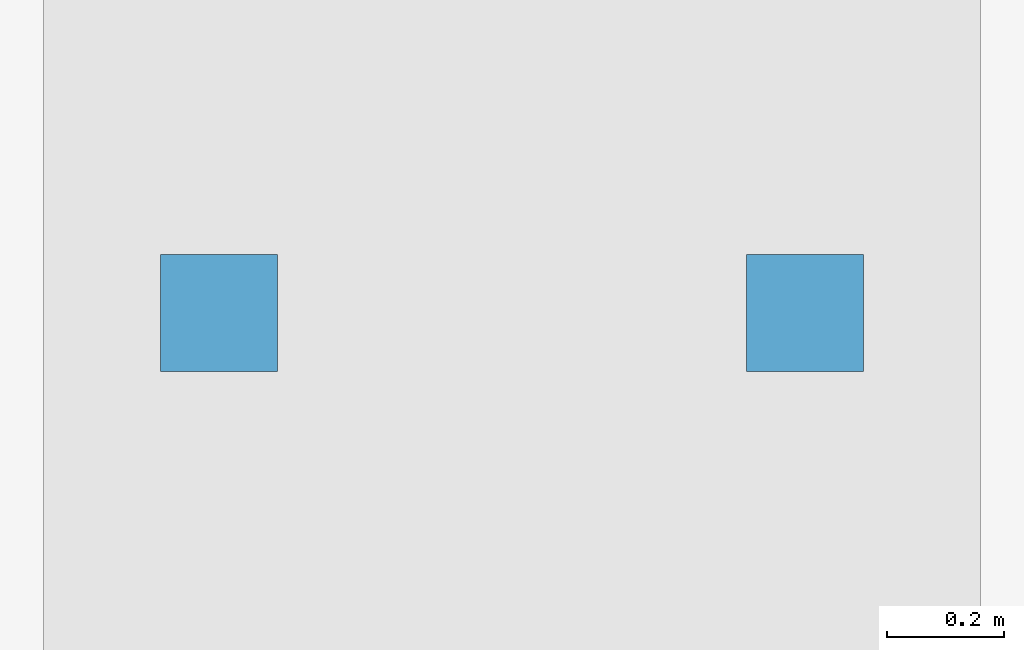
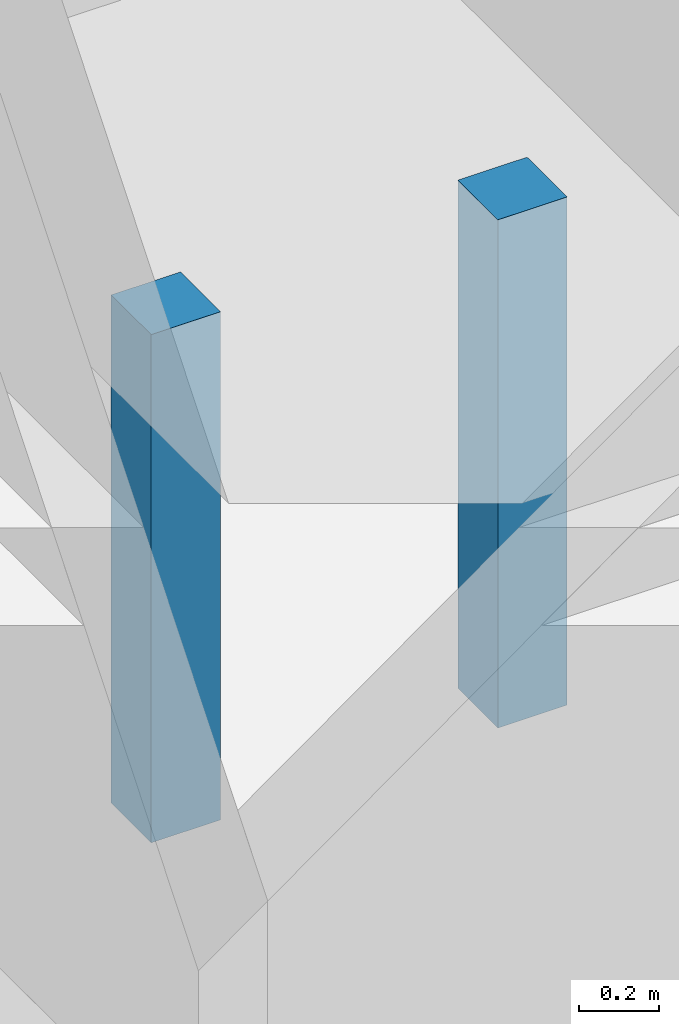
# One storey, part 97 of 139: 2 discrete accessories.
"""IFC4 building model written with IfcOpenShell, lengths in metres."""

from ifc_helpers import new_model, si_unit, direction, frame, origin, origin_2d, place, context, subcontext, project, spatial, rectangle, extrude, material, type_object, element, save


model = new_model("IFC4")

# Units and contexts
model_context = context("Model", 3, precision=1e-05, world=origin(), true_north=direction((0.0, 1.0)))
body_context = subcontext(model_context, "Body", "Model", "MODEL_VIEW")
ifc_project = project(units=[si_unit("LENGTHUNIT", "METRE"), si_unit("AREAUNIT", "SQUARE_METRE"), si_unit("VOLUMEUNIT", "CUBIC_METRE"), si_unit("PLANEANGLEUNIT", "RADIAN"), si_unit("MASSUNIT", "GRAM", prefix="KILO")], contexts=[model_context])

# Site, building, storey
site_placement = place(None, origin())
site = spatial("IfcSite", under=ifc_project, at=site_placement, CompositionType="ELEMENT")
building_placement = place(site_placement, origin())
building = spatial("IfcBuilding", under=site, at=building_placement, Name="Verrick Yard Athletic Hall", CompositionType="ELEMENT")
storey_placement = place(building_placement, origin())
storey = spatial("IfcBuildingStorey", under=building, at=storey_placement, Name="L00", CompositionType="ELEMENT", Elevation=0.0)

# Discrete accessories
ifc_material = material(Name="Stainless steel", Category="steel")
discrete_accessory_type = type_object("IfcDiscreteAccessoryType", Name="Lift buffer stand", PredefinedType="BRACKET", material=ifc_material)
for number, where, z_axis, x_axis, name in (
    (1, (142.10009765625, 103.574951171875, -1.5), (0.0, 0.0, 1.0), (1.0, 0.0, 0.0), "Buffer stand Sports Hall A band 1"),
    (2, (143.10009765625, 103.574951171875, -1.5), (0.0, 0.0, 1.0), (1.0, 0.0, 0.0), "Buffer stand Sports Hall A band 2"),
):
    element("IfcDiscreteAccessory", number, at=place(storey_placement, frame(where, z_axis=z_axis, x_axis=x_axis)), inside=storey, type_object=discrete_accessory_type, Name=name, PredefinedType="BRACKET", context=body_context, shape_type="SweptSolid", body=[
        extrude(rectangle(XDim=0.199951171875, YDim=0.199951171875, at=origin_2d()), origin(), (0.0, 0.0, 1.0), 1.550048828125),
    ])

save(model, "model.ifc")
